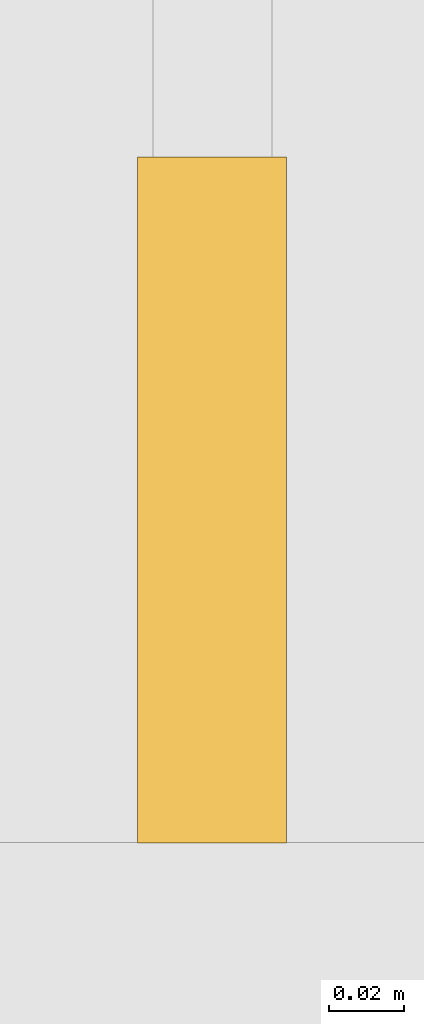
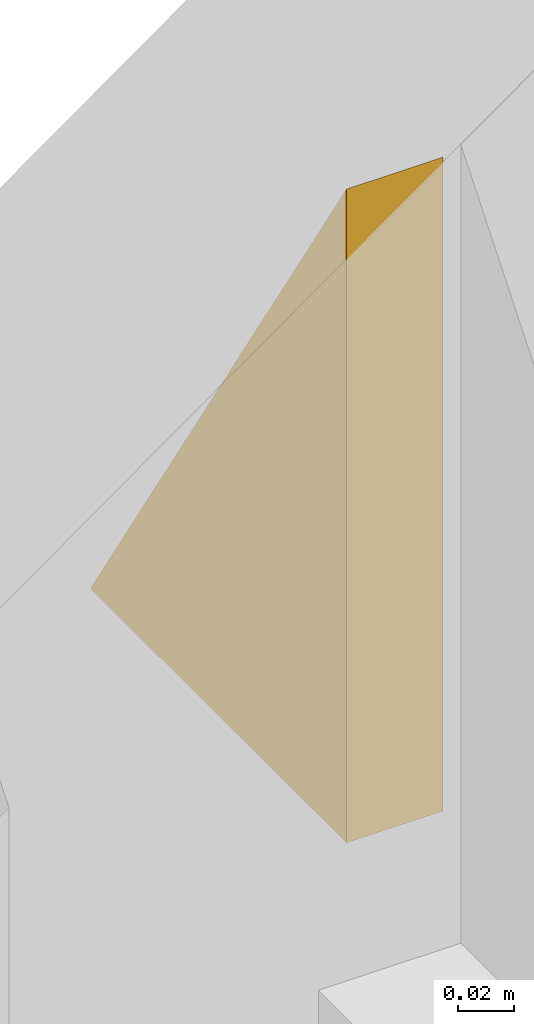
# One storey, part 15 of 15: 1 covering.
"""IFC4 building model written with IfcOpenShell, lengths in metres."""

from ifc_helpers import new_model, si_unit, direction, frame, origin, place, context, subcontext, project, spatial, polyline, outline, extrude, material, layer, layer_set, type_object, element, save


model = new_model("IFC4")

# Units and contexts
model_context = context("Model", 3, precision=1e-05, world=origin(), true_north=direction((0.0, 1.0)))
body_context = subcontext(model_context, "Body", "Model", "MODEL_VIEW")
ifc_project = project(units=[si_unit("LENGTHUNIT", "METRE"), si_unit("AREAUNIT", "SQUARE_METRE"), si_unit("VOLUMEUNIT", "CUBIC_METRE"), si_unit("PLANEANGLEUNIT", "RADIAN"), si_unit("MASSUNIT", "GRAM", prefix="KILO")], contexts=[model_context])

# Site, building, storey
site_placement = place(None, origin())
site = spatial("IfcSite", under=ifc_project, at=site_placement, CompositionType="ELEMENT")
building_placement = place(site_placement, origin())
building = spatial("IfcBuilding", under=site, at=building_placement, Name="Malebo Sky Hospital", CompositionType="ELEMENT")
storey_placement = place(building_placement, frame((0.0, 0.0, 217.0)))
storey = spatial("IfcBuildingStorey", under=building, at=storey_placement, Name="L52", CompositionType="ELEMENT", Elevation=217.0)

# Covering
ifc_material = material(Name="Anodised aluminium, natural silver insulated infill panel", Category="aluminium")
ifc_layer = layer(ifc_material, 0.0400390625)
ifc_layer_set = layer_set([ifc_layer], Name="BRACE INFILL PANEL 40")
covering_type = type_object("IfcCoveringType", Name="BRACE INFILL PANEL 40", PredefinedType="CLADDING", material=ifc_layer_set)
covering_placement = place(storey_placement, frame((82.574951171875, 78.929443359375, 0.10009765625), z_axis=(0.0, 0.0, 1.0), x_axis=(0.0, -1.0, 0.0)))
element("IfcCovering", 1, at=covering_placement, inside=storey, type_object=covering_type, Name="Brace infill panel 1.1", PredefinedType="CLADDING", context=body_context, shape_type="SweptSolid", body=[
    extrude(outline(polyline([(-0.092041015625, 0.0), (0.092041015625, 0.0), (0.092041015625, 0.286865234375), (-0.092041015625, 0.0)])), frame((0.0, 0.02001953125, 0.0), z_axis=(0.0, -1.0, 0.0), x_axis=(1.0, 0.0, 0.0)), (0.0, 0.0, 1.0), 0.0400390625),
])

save(model, "model.ifc")
